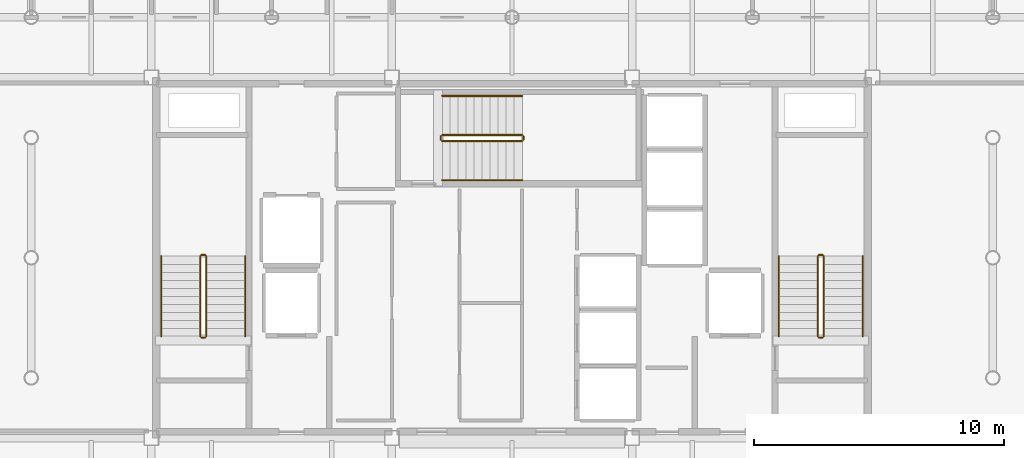
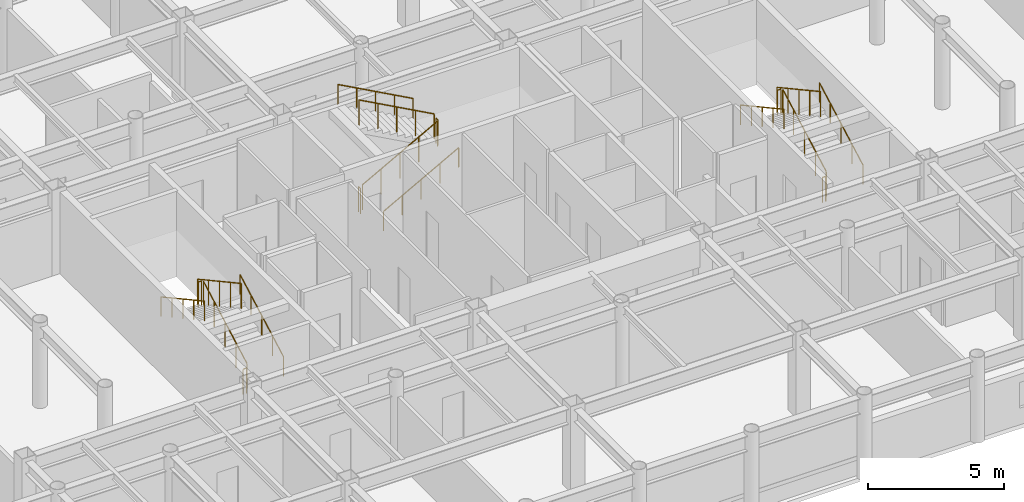
# One storey, part 22 of 22: 18 railings.
"""IFC4 building model written with IfcOpenShell, lengths in metres."""

from ifc_helpers import new_model, si_unit, direction, frame, origin, origin_2d, place, context, subcontext, project, spatial, circle, extrude, material, layer, layer_set, type_object, element, save


model = new_model("IFC4")

# Units and contexts
model_context = context("Model", 3, precision=1e-05, world=origin(), true_north=direction((0.0, 1.0)))
body_context = subcontext(model_context, "Body", "Model", "MODEL_VIEW")
ifc_project = project(units=[si_unit("LENGTHUNIT", "METRE"), si_unit("AREAUNIT", "SQUARE_METRE"), si_unit("VOLUMEUNIT", "CUBIC_METRE"), si_unit("PLANEANGLEUNIT", "RADIAN"), si_unit("MASSUNIT", "GRAM", prefix="KILO")], contexts=[model_context])

# Site, building, storey
site_placement = place(None, origin())
site = spatial("IfcSite", under=ifc_project, at=site_placement, CompositionType="ELEMENT")
building_placement = place(site_placement, origin())
building = spatial("IfcBuilding", under=site, at=building_placement, Name="Kallvorn Hotel Tower", CompositionType="ELEMENT")
storey_placement = place(building_placement, frame((0.0, 0.0, 226.14990234375)))
storey = spatial("IfcBuildingStorey", under=building, at=storey_placement, Name="L56", CompositionType="ELEMENT", Elevation=226.14990234375)

# Railings
ifc_material_1 = material(Name="Brushed stainless-steel tubular railing", Category="steel")
ifc_layer_1 = layer(ifc_material_1, 0.050048828125)
ifc_layer_set_1 = layer_set([ifc_layer_1], Name="RL_STAIR_GUARD")
railing_type_1 = type_object("IfcRailingType", Name="RL_STAIR_GUARD", PredefinedType="GUARDRAIL", material=ifc_layer_set_1)
railing_1_placement = place(storey_placement, frame((-12.2099609375, -3.139892578125, 0.175048828125)))
element("IfcRailing", 1, at=railing_1_placement, inside=storey, type_object=railing_type_1, Name="L56 ST1 stair guard 1", PredefinedType="GUARDRAIL", context=body_context, shape_type="SweptSolid", body=[
    extrude(circle(Radius=0.02392578125, at=origin_2d()), frame((0.0, 0.0, 1.1259765625), z_axis=(0.0, 0.877368057402, 0.479817977833), x_axis=(-1.0, 0.0, 0.0)), (0.0, 0.0, 1.0), 3.647216796875),
    extrude(circle(Radius=0.02099609375, at=origin_2d()), origin(), (0.0, 0.0, 1.0), 1.101806640625),
    extrude(circle(Radius=0.02099609375, at=origin_2d()), frame((0.0, 0.800048828125, 0.4375)), (0.0, 0.0, 1.0), 1.101806640625),
    extrude(circle(Radius=0.02099609375, at=origin_2d()), frame((0.0, 1.60009765625, 0.875)), (0.0, 0.0, 1.0), 1.101806640625),
    extrude(circle(Radius=0.02099609375, at=origin_2d()), frame((0.0, 2.39990234375, 1.3125)), (0.0, 0.0, 1.0), 1.101806640625),
    extrude(circle(Radius=0.02099609375, at=origin_2d()), frame((0.0, 3.199951171875, 1.75)), (0.0, 0.0, 1.0), 1.101806640625),
])
railing_2_placement = place(storey_placement, frame((-12.260009765625, 0.110107421875, 1.925048828125)))
element("IfcRailing", 2, at=railing_2_placement, inside=storey, type_object=railing_type_1, Name="L56 ST1 stair guard 2", PredefinedType="GUARDRAIL", context=body_context, shape_type="SweptSolid", body=[
    extrude(circle(Radius=0.02392578125, at=origin_2d()), frame((0.0, 0.0, 1.1259765625), z_axis=(-1.0, 0.0, 0.0), x_axis=(0.0, -1.0, 0.0)), (0.0, 0.0, 1.0), 0.139892578125),
    extrude(circle(Radius=0.02099609375, at=origin_2d()), origin(), (0.0, 0.0, 1.0), 1.101806640625),
    extrude(circle(Radius=0.02099609375, at=origin_2d()), frame((-0.139892578125, 0.0, 0.0)), (0.0, 0.0, 1.0), 1.101806640625),
])
railing_3_placement = place(storey_placement, frame((-12.449951171875, 0.06005859375, 2.10009765625)))
element("IfcRailing", 3, at=railing_3_placement, inside=storey, type_object=railing_type_1, Name="L56 ST1 stair guard 3", PredefinedType="GUARDRAIL", context=body_context, shape_type="SweptSolid", body=[
    extrude(circle(Radius=0.02392578125, at=origin_2d()), frame((0.0, 0.0, 1.1259765625), z_axis=(0.0, -0.877368057402, 0.479817977833), x_axis=(1.0, 0.0, 0.0)), (0.0, 0.0, 1.0), 3.647216796875),
    extrude(circle(Radius=0.02099609375, at=origin_2d()), origin(), (0.0, 0.0, 1.0), 1.101806640625),
    extrude(circle(Radius=0.02099609375, at=origin_2d()), frame((0.0, -0.800048828125, 0.4375)), (0.0, 0.0, 1.0), 1.101806640625),
    extrude(circle(Radius=0.02099609375, at=origin_2d()), frame((0.0, -1.60009765625, 0.875)), (0.0, 0.0, 1.0), 1.101806640625),
    extrude(circle(Radius=0.02099609375, at=origin_2d()), frame((0.0, -2.39990234375, 1.3125)), (0.0, 0.0, 1.0), 1.101806640625),
    extrude(circle(Radius=0.02099609375, at=origin_2d()), frame((0.0, -3.199951171875, 1.75)), (0.0, 0.0, 1.0), 1.101806640625),
])
railing_4_placement = place(storey_placement, frame((-12.260009765625, -3.18994140625, 0.0)))
element("IfcRailing", 4, at=railing_4_placement, inside=storey, type_object=railing_type_1, Name="L56 ST1 stair guard 4", PredefinedType="GUARDRAIL", context=body_context, shape_type="SweptSolid", body=[
    extrude(circle(Radius=0.02392578125, at=origin_2d()), frame((0.0, 0.0, 1.1259765625), z_axis=(-1.0, 0.0, 0.0), x_axis=(0.0, -1.0, 0.0)), (0.0, 0.0, 1.0), 0.139892578125),
    extrude(circle(Radius=0.02099609375, at=origin_2d()), origin(), (0.0, 0.0, 1.0), 1.101806640625),
    extrude(circle(Radius=0.02099609375, at=origin_2d()), frame((-0.139892578125, 0.0, 0.0)), (0.0, 0.0, 1.0), 1.101806640625),
])
railing_5_placement = place(storey_placement, frame((12.449951171875, -3.139892578125, 0.175048828125)))
element("IfcRailing", 5, at=railing_5_placement, inside=storey, type_object=railing_type_1, Name="L56 ST2 stair guard 1", PredefinedType="GUARDRAIL", context=body_context, shape_type="SweptSolid", body=[
    extrude(circle(Radius=0.02392578125, at=origin_2d()), frame((0.0, 0.0, 1.1259765625), z_axis=(0.0, 0.877368057402, 0.479817977833), x_axis=(-1.0, 0.0, 0.0)), (0.0, 0.0, 1.0), 3.647216796875),
    extrude(circle(Radius=0.02099609375, at=origin_2d()), origin(), (0.0, 0.0, 1.0), 1.101806640625),
    extrude(circle(Radius=0.02099609375, at=origin_2d()), frame((0.0, 0.800048828125, 0.4375)), (0.0, 0.0, 1.0), 1.101806640625),
    extrude(circle(Radius=0.02099609375, at=origin_2d()), frame((0.0, 1.60009765625, 0.875)), (0.0, 0.0, 1.0), 1.101806640625),
    extrude(circle(Radius=0.02099609375, at=origin_2d()), frame((0.0, 2.39990234375, 1.3125)), (0.0, 0.0, 1.0), 1.101806640625),
    extrude(circle(Radius=0.02099609375, at=origin_2d()), frame((0.0, 3.199951171875, 1.75)), (0.0, 0.0, 1.0), 1.101806640625),
])
railing_6_placement = place(storey_placement, frame((12.39990234375, 0.110107421875, 1.925048828125)))
element("IfcRailing", 6, at=railing_6_placement, inside=storey, type_object=railing_type_1, Name="L56 ST2 stair guard 2", PredefinedType="GUARDRAIL", context=body_context, shape_type="SweptSolid", body=[
    extrude(circle(Radius=0.02392578125, at=origin_2d()), frame((0.0, 0.0, 1.1259765625), z_axis=(-1.0, 0.0, 0.0), x_axis=(0.0, -1.0, 0.0)), (0.0, 0.0, 1.0), 0.139892578125),
    extrude(circle(Radius=0.02099609375, at=origin_2d()), origin(), (0.0, 0.0, 1.0), 1.101806640625),
    extrude(circle(Radius=0.02099609375, at=origin_2d()), frame((-0.139892578125, 0.0, 0.0)), (0.0, 0.0, 1.0), 1.101806640625),
])
railing_7_placement = place(storey_placement, frame((12.2099609375, 0.06005859375, 2.10009765625)))
element("IfcRailing", 7, at=railing_7_placement, inside=storey, type_object=railing_type_1, Name="L56 ST2 stair guard 3", PredefinedType="GUARDRAIL", context=body_context, shape_type="SweptSolid", body=[
    extrude(circle(Radius=0.02392578125, at=origin_2d()), frame((0.0, 0.0, 1.1259765625), z_axis=(0.0, -0.877368057402, 0.479817977833), x_axis=(1.0, 0.0, 0.0)), (0.0, 0.0, 1.0), 3.647216796875),
    extrude(circle(Radius=0.02099609375, at=origin_2d()), origin(), (0.0, 0.0, 1.0), 1.101806640625),
    extrude(circle(Radius=0.02099609375, at=origin_2d()), frame((0.0, -0.800048828125, 0.4375)), (0.0, 0.0, 1.0), 1.101806640625),
    extrude(circle(Radius=0.02099609375, at=origin_2d()), frame((0.0, -1.60009765625, 0.875)), (0.0, 0.0, 1.0), 1.101806640625),
    extrude(circle(Radius=0.02099609375, at=origin_2d()), frame((0.0, -2.39990234375, 1.3125)), (0.0, 0.0, 1.0), 1.101806640625),
    extrude(circle(Radius=0.02099609375, at=origin_2d()), frame((0.0, -3.199951171875, 1.75)), (0.0, 0.0, 1.0), 1.101806640625),
])
railing_8_placement = place(storey_placement, frame((12.39990234375, -3.18994140625, 0.0)))
element("IfcRailing", 8, at=railing_8_placement, inside=storey, type_object=railing_type_1, Name="L56 ST2 stair guard 4", PredefinedType="GUARDRAIL", context=body_context, shape_type="SweptSolid", body=[
    extrude(circle(Radius=0.02392578125, at=origin_2d()), frame((0.0, 0.0, 1.1259765625), z_axis=(-1.0, 0.0, 0.0), x_axis=(0.0, -1.0, 0.0)), (0.0, 0.0, 1.0), 0.139892578125),
    extrude(circle(Radius=0.02099609375, at=origin_2d()), origin(), (0.0, 0.0, 1.0), 1.101806640625),
    extrude(circle(Radius=0.02099609375, at=origin_2d()), frame((-0.139892578125, 0.0, 0.0)), (0.0, 0.0, 1.0), 1.101806640625),
])
railing_9_placement = place(storey_placement, frame((-2.7900390625, 4.659912109375, 0.175048828125)))
element("IfcRailing", 9, at=railing_9_placement, inside=storey, type_object=railing_type_1, Name="L56 ST3 stair guard 1", PredefinedType="GUARDRAIL", context=body_context, shape_type="SweptSolid", body=[
    extrude(circle(Radius=0.02392578125, at=origin_2d()), frame((0.0, 0.0, 1.1259765625), z_axis=(0.877368057402, 0.0, 0.479817977833), x_axis=(0.0, 1.0, 0.0)), (0.0, 0.0, 1.0), 3.647216796875),
    extrude(circle(Radius=0.02099609375, at=origin_2d()), origin(), (0.0, 0.0, 1.0), 1.101806640625),
    extrude(circle(Radius=0.02099609375, at=origin_2d()), frame((0.800048828125, 0.0, 0.4375)), (0.0, 0.0, 1.0), 1.101806640625),
    extrude(circle(Radius=0.02099609375, at=origin_2d()), frame((1.60009765625, 0.0, 0.875)), (0.0, 0.0, 1.0), 1.101806640625),
    extrude(circle(Radius=0.02099609375, at=origin_2d()), frame((2.39990234375, 0.0, 1.3125)), (0.0, 0.0, 1.0), 1.101806640625),
    extrude(circle(Radius=0.02099609375, at=origin_2d()), frame((3.199951171875, 0.0, 1.75)), (0.0, 0.0, 1.0), 1.101806640625),
])
railing_10_placement = place(storey_placement, frame((0.4599609375, 4.7099609375, 1.925048828125)))
element("IfcRailing", 10, at=railing_10_placement, inside=storey, type_object=railing_type_1, Name="L56 ST3 stair guard 2", PredefinedType="GUARDRAIL", context=body_context, shape_type="SweptSolid", body=[
    extrude(circle(Radius=0.02392578125, at=origin_2d()), frame((0.0, 0.0, 1.1259765625), z_axis=(0.0, 1.0, 0.0), x_axis=(-1.0, 0.0, 0.0)), (0.0, 0.0, 1.0), 0.14013671875),
    extrude(circle(Radius=0.02099609375, at=origin_2d()), origin(), (0.0, 0.0, 1.0), 1.101806640625),
    extrude(circle(Radius=0.02099609375, at=origin_2d()), frame((0.0, 0.14013671875, 0.0)), (0.0, 0.0, 1.0), 1.101806640625),
])
railing_11_placement = place(storey_placement, frame((0.409912109375, 4.89990234375, 2.10009765625)))
element("IfcRailing", 11, at=railing_11_placement, inside=storey, type_object=railing_type_1, Name="L56 ST3 stair guard 3", PredefinedType="GUARDRAIL", context=body_context, shape_type="SweptSolid", body=[
    extrude(circle(Radius=0.02392578125, at=origin_2d()), frame((0.0, 0.0, 1.1259765625), z_axis=(-0.877368057402, 0.0, 0.479817977833), x_axis=(0.0, -1.0, 0.0)), (0.0, 0.0, 1.0), 3.647216796875),
    extrude(circle(Radius=0.02099609375, at=origin_2d()), origin(), (0.0, 0.0, 1.0), 1.101806640625),
    extrude(circle(Radius=0.02099609375, at=origin_2d()), frame((-0.800048828125, 0.0, 0.4375)), (0.0, 0.0, 1.0), 1.101806640625),
    extrude(circle(Radius=0.02099609375, at=origin_2d()), frame((-1.60009765625, 0.0, 0.875)), (0.0, 0.0, 1.0), 1.101806640625),
    extrude(circle(Radius=0.02099609375, at=origin_2d()), frame((-2.39990234375, 0.0, 1.3125)), (0.0, 0.0, 1.0), 1.101806640625),
    extrude(circle(Radius=0.02099609375, at=origin_2d()), frame((-3.199951171875, 0.0, 1.75)), (0.0, 0.0, 1.0), 1.101806640625),
])
railing_12_placement = place(storey_placement, frame((-2.840087890625, 4.7099609375, 0.0)))
element("IfcRailing", 12, at=railing_12_placement, inside=storey, type_object=railing_type_1, Name="L56 ST3 stair guard 4", PredefinedType="GUARDRAIL", context=body_context, shape_type="SweptSolid", body=[
    extrude(circle(Radius=0.02392578125, at=origin_2d()), frame((0.0, 0.0, 1.1259765625), z_axis=(0.0, 1.0, 0.0), x_axis=(-1.0, 0.0, 0.0)), (0.0, 0.0, 1.0), 0.14013671875),
    extrude(circle(Radius=0.02099609375, at=origin_2d()), origin(), (0.0, 0.0, 1.0), 1.101806640625),
    extrude(circle(Radius=0.02099609375, at=origin_2d()), frame((0.0, 0.14013671875, 0.0)), (0.0, 0.0, 1.0), 1.101806640625),
])
ifc_material_2 = material(Name="Brushed stainless-steel tubular railing", Category="steel")
ifc_layer_2 = layer(ifc_material_2, 0.050048828125)
ifc_layer_set_2 = layer_set([ifc_layer_2], Name="RL_STAIR_HAND")
railing_type_2 = type_object("IfcRailingType", Name="RL_STAIR_HAND", PredefinedType="HANDRAIL", material=ifc_layer_set_2)
railing_13_placement = place(storey_placement, frame((-10.64990234375, -3.139892578125, 0.175048828125)))
element("IfcRailing", 13, at=railing_13_placement, inside=storey, type_object=railing_type_2, Name="L56 ST1 stair handrail 1", PredefinedType="HANDRAIL", context=body_context, shape_type="SweptSolid", body=[
    extrude(circle(Radius=0.02392578125, at=origin_2d()), frame((0.0, 0.0, 0.8759765625), z_axis=(0.0, 0.877368057402, 0.479817977833), x_axis=(-1.0, 0.0, 0.0)), (0.0, 0.0, 1.0), 3.647216796875),
    extrude(circle(Radius=0.02099609375, at=origin_2d()), origin(), (0.0, 0.0, 1.0), 0.851806640625),
    extrude(circle(Radius=0.02099609375, at=origin_2d()), frame((0.0, 0.800048828125, 0.4375)), (0.0, 0.0, 1.0), 0.851806640625),
    extrude(circle(Radius=0.02099609375, at=origin_2d()), frame((0.0, 1.60009765625, 0.875)), (0.0, 0.0, 1.0), 0.851806640625),
    extrude(circle(Radius=0.02099609375, at=origin_2d()), frame((0.0, 2.39990234375, 1.3125)), (0.0, 0.0, 1.0), 0.851806640625),
    extrude(circle(Radius=0.02099609375, at=origin_2d()), frame((0.0, 3.199951171875, 1.75)), (0.0, 0.0, 1.0), 0.851806640625),
])
railing_14_placement = place(storey_placement, frame((-14.010009765625, 0.06005859375, 2.10009765625)))
element("IfcRailing", 14, at=railing_14_placement, inside=storey, type_object=railing_type_2, Name="L56 ST1 stair handrail 2", PredefinedType="HANDRAIL", context=body_context, shape_type="SweptSolid", body=[
    extrude(circle(Radius=0.02392578125, at=origin_2d()), frame((0.0, 0.0, 0.8759765625), z_axis=(0.0, -0.877368057402, 0.479817977833), x_axis=(1.0, 0.0, 0.0)), (0.0, 0.0, 1.0), 3.647216796875),
    extrude(circle(Radius=0.02099609375, at=origin_2d()), origin(), (0.0, 0.0, 1.0), 0.851806640625),
    extrude(circle(Radius=0.02099609375, at=origin_2d()), frame((0.0, -0.800048828125, 0.4375)), (0.0, 0.0, 1.0), 0.851806640625),
    extrude(circle(Radius=0.02099609375, at=origin_2d()), frame((0.0, -1.60009765625, 0.875)), (0.0, 0.0, 1.0), 0.851806640625),
    extrude(circle(Radius=0.02099609375, at=origin_2d()), frame((0.0, -2.39990234375, 1.3125)), (0.0, 0.0, 1.0), 0.851806640625),
    extrude(circle(Radius=0.02099609375, at=origin_2d()), frame((0.0, -3.199951171875, 1.75)), (0.0, 0.0, 1.0), 0.851806640625),
])
railing_15_placement = place(storey_placement, frame((14.010009765625, -3.139892578125, 0.175048828125)))
element("IfcRailing", 15, at=railing_15_placement, inside=storey, type_object=railing_type_2, Name="L56 ST2 stair handrail 1", PredefinedType="HANDRAIL", context=body_context, shape_type="SweptSolid", body=[
    extrude(circle(Radius=0.02392578125, at=origin_2d()), frame((0.0, 0.0, 0.8759765625), z_axis=(0.0, 0.877368057402, 0.479817977833), x_axis=(-1.0, 0.0, 0.0)), (0.0, 0.0, 1.0), 3.647216796875),
    extrude(circle(Radius=0.02099609375, at=origin_2d()), origin(), (0.0, 0.0, 1.0), 0.851806640625),
    extrude(circle(Radius=0.02099609375, at=origin_2d()), frame((0.0, 0.800048828125, 0.4375)), (0.0, 0.0, 1.0), 0.851806640625),
    extrude(circle(Radius=0.02099609375, at=origin_2d()), frame((0.0, 1.60009765625, 0.875)), (0.0, 0.0, 1.0), 0.851806640625),
    extrude(circle(Radius=0.02099609375, at=origin_2d()), frame((0.0, 2.39990234375, 1.3125)), (0.0, 0.0, 1.0), 0.851806640625),
    extrude(circle(Radius=0.02099609375, at=origin_2d()), frame((0.0, 3.199951171875, 1.75)), (0.0, 0.0, 1.0), 0.851806640625),
])
railing_16_placement = place(storey_placement, frame((10.64990234375, 0.06005859375, 2.10009765625)))
element("IfcRailing", 16, at=railing_16_placement, inside=storey, type_object=railing_type_2, Name="L56 ST2 stair handrail 2", PredefinedType="HANDRAIL", context=body_context, shape_type="SweptSolid", body=[
    extrude(circle(Radius=0.02392578125, at=origin_2d()), frame((0.0, 0.0, 0.8759765625), z_axis=(0.0, -0.877368057402, 0.479817977833), x_axis=(1.0, 0.0, 0.0)), (0.0, 0.0, 1.0), 3.647216796875),
    extrude(circle(Radius=0.02099609375, at=origin_2d()), origin(), (0.0, 0.0, 1.0), 0.851806640625),
    extrude(circle(Radius=0.02099609375, at=origin_2d()), frame((0.0, -0.800048828125, 0.4375)), (0.0, 0.0, 1.0), 0.851806640625),
    extrude(circle(Radius=0.02099609375, at=origin_2d()), frame((0.0, -1.60009765625, 0.875)), (0.0, 0.0, 1.0), 0.851806640625),
    extrude(circle(Radius=0.02099609375, at=origin_2d()), frame((0.0, -2.39990234375, 1.3125)), (0.0, 0.0, 1.0), 0.851806640625),
    extrude(circle(Radius=0.02099609375, at=origin_2d()), frame((0.0, -3.199951171875, 1.75)), (0.0, 0.0, 1.0), 0.851806640625),
])
railing_17_placement = place(storey_placement, frame((-2.7900390625, 3.10009765625, 0.175048828125)))
element("IfcRailing", 17, at=railing_17_placement, inside=storey, type_object=railing_type_2, Name="L56 ST3 stair handrail 1", PredefinedType="HANDRAIL", context=body_context, shape_type="SweptSolid", body=[
    extrude(circle(Radius=0.02392578125, at=origin_2d()), frame((0.0, 0.0, 0.8759765625), z_axis=(0.877368057402, 0.0, 0.479817977833), x_axis=(0.0, 1.0, 0.0)), (0.0, 0.0, 1.0), 3.647216796875),
    extrude(circle(Radius=0.02099609375, at=origin_2d()), origin(), (0.0, 0.0, 1.0), 0.851806640625),
    extrude(circle(Radius=0.02099609375, at=origin_2d()), frame((0.800048828125, 0.0, 0.4375)), (0.0, 0.0, 1.0), 0.851806640625),
    extrude(circle(Radius=0.02099609375, at=origin_2d()), frame((1.60009765625, 0.0, 0.875)), (0.0, 0.0, 1.0), 0.851806640625),
    extrude(circle(Radius=0.02099609375, at=origin_2d()), frame((2.39990234375, 0.0, 1.3125)), (0.0, 0.0, 1.0), 0.851806640625),
    extrude(circle(Radius=0.02099609375, at=origin_2d()), frame((3.199951171875, 0.0, 1.75)), (0.0, 0.0, 1.0), 0.851806640625),
])
railing_18_placement = place(storey_placement, frame((0.409912109375, 6.4599609375, 2.10009765625)))
element("IfcRailing", 18, at=railing_18_placement, inside=storey, type_object=railing_type_2, Name="L56 ST3 stair handrail 2", PredefinedType="HANDRAIL", context=body_context, shape_type="SweptSolid", body=[
    extrude(circle(Radius=0.02392578125, at=origin_2d()), frame((0.0, 0.0, 0.8759765625), z_axis=(-0.877368057402, 0.0, 0.479817977833), x_axis=(0.0, -1.0, 0.0)), (0.0, 0.0, 1.0), 3.647216796875),
    extrude(circle(Radius=0.02099609375, at=origin_2d()), origin(), (0.0, 0.0, 1.0), 0.851806640625),
    extrude(circle(Radius=0.02099609375, at=origin_2d()), frame((-0.800048828125, 0.0, 0.4375)), (0.0, 0.0, 1.0), 0.851806640625),
    extrude(circle(Radius=0.02099609375, at=origin_2d()), frame((-1.60009765625, 0.0, 0.875)), (0.0, 0.0, 1.0), 0.851806640625),
    extrude(circle(Radius=0.02099609375, at=origin_2d()), frame((-2.39990234375, 0.0, 1.3125)), (0.0, 0.0, 1.0), 0.851806640625),
    extrude(circle(Radius=0.02099609375, at=origin_2d()), frame((-3.199951171875, 0.0, 1.75)), (0.0, 0.0, 1.0), 0.851806640625),
])

save(model, "model.ifc")
